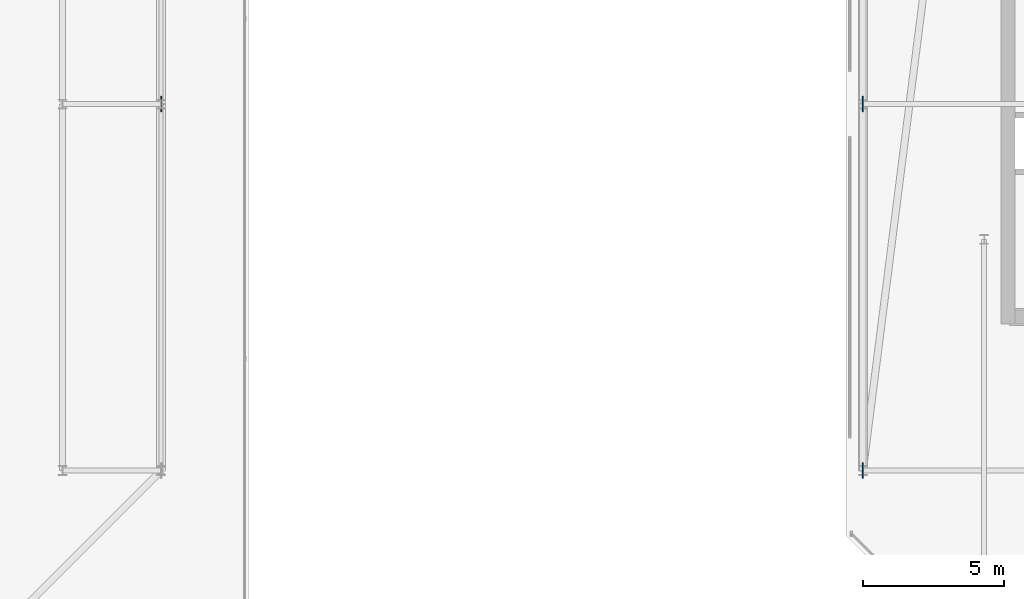
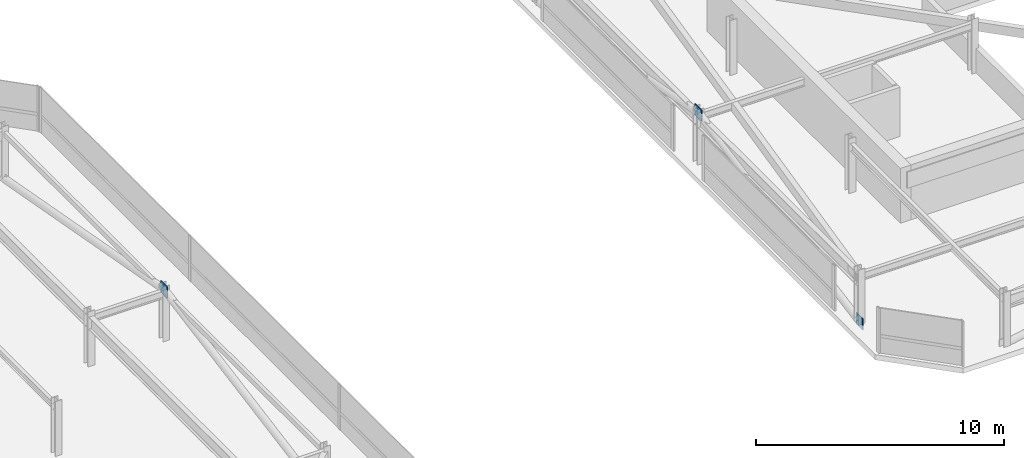
# One storey, part 39 of 42: 3 plates.
"""IFC4 building model written with IfcOpenShell, lengths in metres."""

from ifc_helpers import new_model, si_unit, direction, frame, origin, origin_2d, place, context, subcontext, project, spatial, rectangle, extrude, material, layer, layer_set, type_object, element, save


model = new_model("IFC4")

# Units and contexts
model_context = context("Model", 3, precision=1e-05, world=origin(), true_north=direction((0.0, 1.0)))
body_context = subcontext(model_context, "Body", "Model", "MODEL_VIEW")
ifc_project = project(units=[si_unit("LENGTHUNIT", "METRE"), si_unit("AREAUNIT", "SQUARE_METRE"), si_unit("VOLUMEUNIT", "CUBIC_METRE"), si_unit("PLANEANGLEUNIT", "RADIAN"), si_unit("MASSUNIT", "GRAM", prefix="KILO")], contexts=[model_context])

# Site, building, storey
site_placement = place(None, origin())
site = spatial("IfcSite", under=ifc_project, at=site_placement, CompositionType="ELEMENT")
building_placement = place(site_placement, origin())
building = spatial("IfcBuilding", under=site, at=building_placement, Name="Thornwick Lancets Civic Towers", CompositionType="ELEMENT")
storey_placement = place(building_placement, frame((0.0, 0.0, 284.10009765625)))
storey = spatial("IfcBuildingStorey", under=building, at=storey_placement, Name="C02", CompositionType="ELEMENT", Elevation=284.10009765625)

# Plates
ifc_material = material(Name="Steel S460M", Category="steel")
ifc_layer = layer(ifc_material, 0.0400390625, Name="Steel S460M")
ifc_layer_set = layer_set([ifc_layer], Name="Steel S460M")
plate_type = type_object("IfcPlateType", Name="PLT_GUSSET_40", PredefinedType="USERDEFINED", material=ifc_layer_set)
for number, where, z_axis, x_axis, name in (
    (1, (46.300048828125, 27.0, 2.1650390625), (0.0, 0.0, 1.0), (0.0, 1.0, 0.0), "C02 Brace Connection Gusset Plate 0465"),
    (2, (71.199951171875, 14.0, -0.22509765625), (0.0, 0.0, 1.0), (0.0, 1.0, 0.0), "C02 Brace Connection Gusset Plate 0479"),
    (3, (71.199951171875, 27.0, 2.1650390625), (0.0, 0.0, 1.0), (0.0, 1.0, 0.0), "C02 Brace Connection Gusset Plate 0480"),
):
    element("IfcPlate", number, at=place(storey_placement, frame(where, z_axis=z_axis, x_axis=x_axis)), inside=storey, type_object=plate_type, Name=name, ObjectType="GUSSET_PLATE", PredefinedType="USERDEFINED", context=body_context, shape_type="SweptSolid", body=[
        extrude(rectangle(XDim=0.550048828125, YDim=0.0400390625, at=origin_2d()), origin(), (0.0, 0.0, 1.0), 0.550048828125),
    ])

save(model, "model.ifc")
